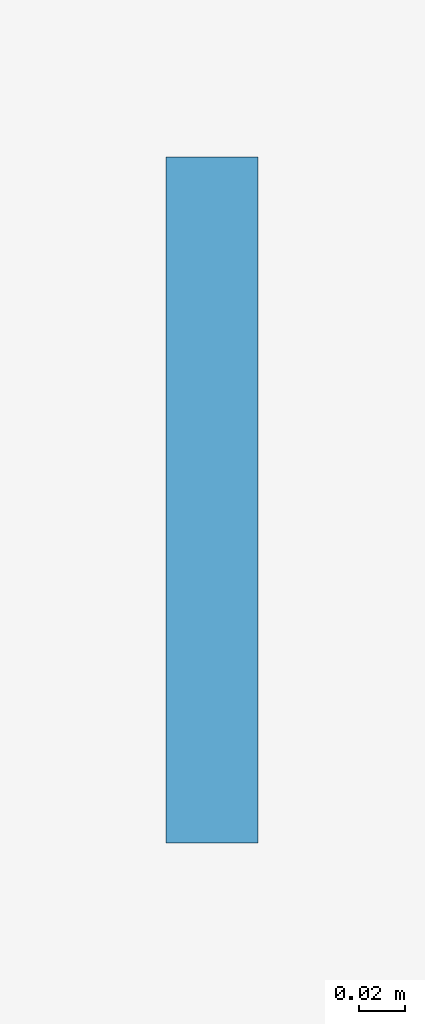
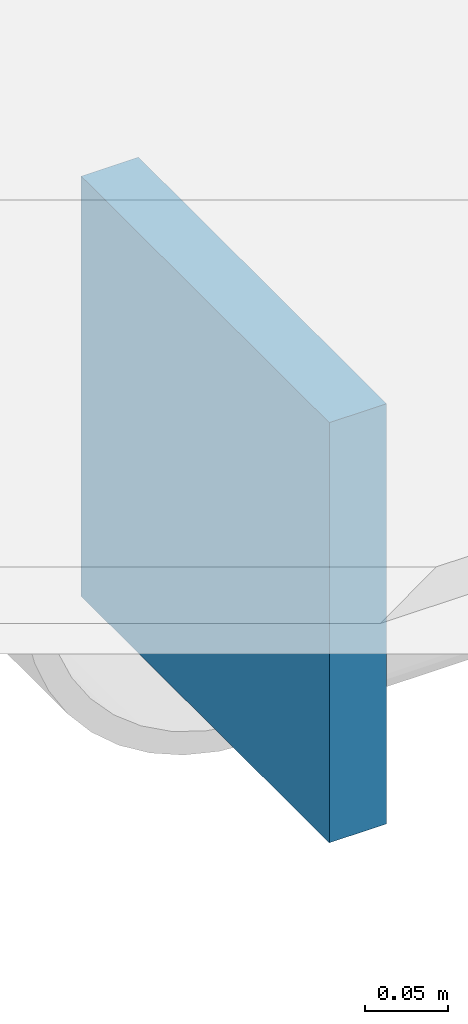
# One storey, part 17 of 26: 1 plate.
"""IFC4 building model written with IfcOpenShell, lengths in metres."""

import ifcopenshell
import ifcopenshell.guid

model = None  # the IFC model being written
_history = None  # IfcOwnerHistory: only IFC2X3 demands one
_inside = {}  # id of a spatial element -> (the spatial element, [elements in it])
_under = {}  # id of a project, library or spatial element -> (it, [spatial elements below it])
_declared = {}  # id of a project -> (the project, [libraries it declares])
_typed = {}  # id of a type object -> (the type object, [elements of that type])
_made_of = {}  # id of a material, layer set ... -> (it, [elements and type objects made of it])


def new_model(schema):
    """Start an empty IFC model of exactly this schema.

    Asked for "IFC4X3", IfcOpenShell would pick the latest addendum, in which some entities
    have other attributes; the version numbers below select the first issue.
    IFC2X3 requires an IfcOwnerHistory on every rooted entity: one is made here for all.
    """
    global model, _history
    if schema == "IFC4X3":
        model = ifcopenshell.file(schema_version=(4, 3, 0, 0))
    else:
        model = ifcopenshell.file(schema=schema)
    _inside.clear()
    _under.clear()
    _declared.clear()
    _typed.clear()
    _made_of.clear()
    _history = None
    if model.schema == "IFC2X3":
        org = make("IfcOrganization", Name="unknown")
        user = make(
            "IfcPersonAndOrganization",
            ThePerson=make("IfcPerson", FamilyName="unknown"),
            TheOrganization=org,
        )
        app = make(
            "IfcApplication",
            ApplicationDeveloper=org,
            Version="unknown",
            ApplicationFullName="unknown",
            ApplicationIdentifier="unknown",
        )
        _history = make(
            "IfcOwnerHistory",
            OwningUser=user,
            OwningApplication=app,
            ChangeAction="ADDED",
            CreationDate=0,
        )
    return model


def make(cls, **values):
    """One entity of the class cls with the attributes given. An attribute that is None is left unset."""
    return model.create_entity(
        cls, **{name: value for name, value in values.items() if value is not None}
    )


def rooted(cls, **values):
    """An entity with a GlobalId (a new one), such as an element, a storey or a relation."""
    return make(cls, GlobalId=ifcopenshell.guid.new(), OwnerHistory=_history, **values)


def si_unit(unit_type, name, prefix=None):
    """IfcSIUnit, for example si_unit("LENGTHUNIT", "METRE", prefix="MILLI")."""
    return make("IfcSIUnit", UnitType=unit_type, Prefix=prefix, Name=name)


def assignment(units):
    """IfcUnitAssignment: the units of a project."""
    return None if units is None else make("IfcUnitAssignment", Units=units)


def point(xyz):
    """IfcCartesianPoint."""
    return None if xyz is None else make("IfcCartesianPoint", Coordinates=xyz)


def direction(xyz):
    """IfcDirection."""
    return None if xyz is None else make("IfcDirection", DirectionRatios=xyz)


def frame(location, z_axis=None, x_axis=None):
    """IfcAxis2Placement3D, a coordinate frame: its origin and axes. An axis left out is left unset."""
    return make(
        "IfcAxis2Placement3D",
        Location=point(location),
        Axis=direction(z_axis),
        RefDirection=direction(x_axis),
    )


def frame_2d(location, x_axis=None):
    """IfcAxis2Placement2D, a coordinate frame in the plane: its origin and x axis."""
    return make(
        "IfcAxis2Placement2D", Location=point(location), RefDirection=direction(x_axis)
    )


def origin():
    """The frame at (0, 0, 0) with its axes left unset."""
    return frame((0.0, 0.0, 0.0))


def origin_2d():
    """The frame at (0, 0) in the plane with its x axis left unset."""
    return frame_2d((0.0, 0.0))


def place(relative_to, where):
    """IfcLocalPlacement: puts the frame where relative to a parent placement (None: the world)."""
    return make(
        "IfcLocalPlacement", PlacementRelTo=relative_to, RelativePlacement=where
    )


def context(
    kind, dimensions, precision=None, world=None, true_north=None, identifier=None
):
    """IfcGeometricRepresentationContext, for example the 3D "Model" context."""
    return make(
        "IfcGeometricRepresentationContext",
        ContextIdentifier=identifier,
        ContextType=kind,
        CoordinateSpaceDimension=dimensions,
        Precision=precision,
        WorldCoordinateSystem=world,
        TrueNorth=true_north,
    )


def subcontext(parent, identifier, kind, view, scale=None):
    """IfcGeometricRepresentationSubContext, for example "Body" below "Model"."""
    return make(
        "IfcGeometricRepresentationSubContext",
        ContextIdentifier=identifier,
        ContextType=kind,
        ParentContext=parent,
        TargetScale=scale,
        TargetView=view,
    )


def project(units=None, contexts=None):
    """IfcProject with its units and contexts."""
    return rooted(
        "IfcProject",
        Name="project",
        RepresentationContexts=contexts,
        UnitsInContext=assignment(units),
    )


def spatial(cls, under=None, at=None, **own):
    """A site, building, storey or space (cls), placed at a placement, below another one or the project."""
    s = rooted(cls, ObjectPlacement=at, **own)
    if under is not None:
        _under.setdefault(under.id(), (under, []))[1].append(s)
    return s


def profile(cls, at=None, kind="AREA", **sizes):
    """A parametric profile (cls). Its sizes go by their IFC names, for example OverallWidth=200.0."""
    return make(cls, ProfileType=kind, Position=at, **sizes)


def rectangle(**sizes):
    """IfcRectangleProfileDef."""
    return profile("IfcRectangleProfileDef", **sizes)


def extrude(swept, where, along, depth):
    """IfcExtrudedAreaSolid: the profile swept, set in the frame where, extruded along a direction by depth."""
    return make(
        "IfcExtrudedAreaSolid",
        SweptArea=swept,
        Position=where,
        ExtrudedDirection=direction(along),
        Depth=depth,
    )


def shape(context_of_items, identifier, shape_type, items):
    """IfcShapeRepresentation: the items that make up one representation, for example the "Body"."""
    return make(
        "IfcShapeRepresentation",
        ContextOfItems=context_of_items,
        RepresentationIdentifier=identifier,
        RepresentationType=shape_type,
        Items=items,
    )


def material(Name=None, Category=None):
    """IfcMaterial."""
    return make("IfcMaterial", Name=Name, Category=Category)


def layer(
    of_material, thickness, ventilated=None, Name=None, Category=None, Priority=None
):
    """IfcMaterialLayer: one layer of a wall or slab, of a material (None: an air gap)."""
    return make(
        "IfcMaterialLayer",
        Material=of_material,
        LayerThickness=thickness,
        IsVentilated=ventilated,
        Name=Name,
        Category=Category,
        Priority=Priority,
    )


def layer_set(layers, Name=None):
    """IfcMaterialLayerSet."""
    return make("IfcMaterialLayerSet", MaterialLayers=layers, LayerSetName=Name)


def made_of(thing, what):
    """Note that an element or type object is made of a material, layer set ...; save() writes the relation."""
    if what is not None:
        _made_of.setdefault(what.id(), (what, []))[1].append(thing)
    return thing


def type_object(cls, material=None, **own):
    """A type object (cls), such as IfcWallType, which elements share."""
    return made_of(rooted(cls, **own), material)


def element(
    cls,
    number,
    at=None,
    inside=None,
    cuts=None,
    type_object=None,
    material=None,
    context=None,
    identifier="Body",
    shape_type=None,
    held_by="IfcProductDefinitionShape",
    body=None,
    shapes=None,
    **own,
):
    """One element of the class cls, such as IfcWall. Its Tag is "e" and its number.

    at: its placement. inside: the storey or other place that contains it. cuts: it is an
    opening in that element (IfcRelVoidsElement). A single representation is given by context,
    identifier, shape_type and body (its items); several are given by shapes. held_by: the class
    of the entity that holds the representations. save() writes the other relations.
    """
    e = rooted(cls, Tag="e%d" % number, ObjectPlacement=at, **own)
    if body is not None:
        shapes = [shape(context, identifier, shape_type, body)]
    if shapes is not None:
        e.Representation = make(held_by, Representations=shapes)
    if inside is not None:
        _inside.setdefault(inside.id(), (inside, []))[1].append(e)
    if cuts is not None:
        rooted(
            "IfcRelVoidsElement", RelatingBuildingElement=cuts, RelatedOpeningElement=e
        )
    if type_object is not None:
        _typed.setdefault(type_object.id(), (type_object, []))[1].append(e)
    return made_of(e, material)


def aggregate(whole, parts):
    """IfcRelAggregates: a whole, such as a stair, and the parts it consists of."""
    return rooted("IfcRelAggregates", RelatingObject=whole, RelatedObjects=parts)


def save(model, path):
    """Write the relations noted so far, then the file.

    IfcRelAggregates (storeys below a building ...), IfcRelContainedInSpatialStructure (elements
    in a storey), IfcRelDefinesByType, IfcRelAssociatesMaterial and IfcRelDeclares: one each for
    every whole, place, type object, material and project.
    """
    for whole, parts in _under.values():
        aggregate(whole, parts)
    for where, things in _inside.values():
        rooted(
            "IfcRelContainedInSpatialStructure",
            RelatedElements=things,
            RelatingStructure=where,
        )
    for kind, things in _typed.values():
        rooted("IfcRelDefinesByType", RelatedObjects=things, RelatingType=kind)
    for what, things in _made_of.values():
        rooted("IfcRelAssociatesMaterial", RelatedObjects=things, RelatingMaterial=what)
    for by, libraries in _declared.values():
        rooted("IfcRelDeclares", RelatingContext=by, RelatedDefinitions=libraries)
    model.write(path)


model = new_model("IFC4")

# Units and contexts
model_context = context("Model", 3, precision=1e-05, world=origin(), true_north=direction((0.0, 1.0)))
body_context = subcontext(model_context, "Body", "Model", "MODEL_VIEW")
ifc_project = project(units=[si_unit("LENGTHUNIT", "METRE"), si_unit("AREAUNIT", "SQUARE_METRE"), si_unit("VOLUMEUNIT", "CUBIC_METRE"), si_unit("PLANEANGLEUNIT", "RADIAN"), si_unit("MASSUNIT", "GRAM", prefix="KILO"), si_unit("THERMODYNAMICTEMPERATUREUNIT", "KELVIN"), si_unit("POWERUNIT", "WATT")], contexts=[model_context])

# Site, building, storey
site_placement = place(None, origin())
site = spatial("IfcSite", under=ifc_project, at=site_placement, CompositionType="ELEMENT")
building_placement = place(site_placement, origin())
building = spatial("IfcBuilding", under=site, at=building_placement, Name="Svarakhadi Broadcast Tower", CompositionType="ELEMENT")
storey_placement = place(building_placement, frame((0.0, 0.0, 180.449951171875)))
storey = spatial("IfcBuildingStorey", under=building, at=storey_placement, Name="L44", CompositionType="ELEMENT", Elevation=180.449951171875)

# Plate
ifc_material = material(Name="Steel S460ML (IS 2062 E450BR)", Category="steel")
ifc_layer = layer(ifc_material, 0.028076171875)
ifc_layer_set = layer_set([ifc_layer], Name="Steel S460ML (IS 2062 E450BR)")
plate_type = type_object("IfcPlateType", Name="Cap_Plate_CP02", PredefinedType="USERDEFINED", material=ifc_layer_set)
plate_placement = place(storey_placement, frame((29.985107421875, -1.800048828125, -0.5048828125), z_axis=(0.0, 0.0, 1.0), x_axis=(1.0, 0.0, 0.0)))
element("IfcPlate", 1, at=plate_placement, inside=storey, type_object=plate_type, Name="L44 Balcony Spandrel End Cap Plate 1F-A", ObjectType="FLANGE_PLATE", PredefinedType="USERDEFINED", context=body_context, shape_type="SweptSolid", body=[
    extrude(rectangle(XDim=0.0400390625, YDim=0.300048828125, at=origin_2d()), origin(), (0.0, 0.0, 1.0), 0.31005859375),
])

save(model, "model.ifc")
